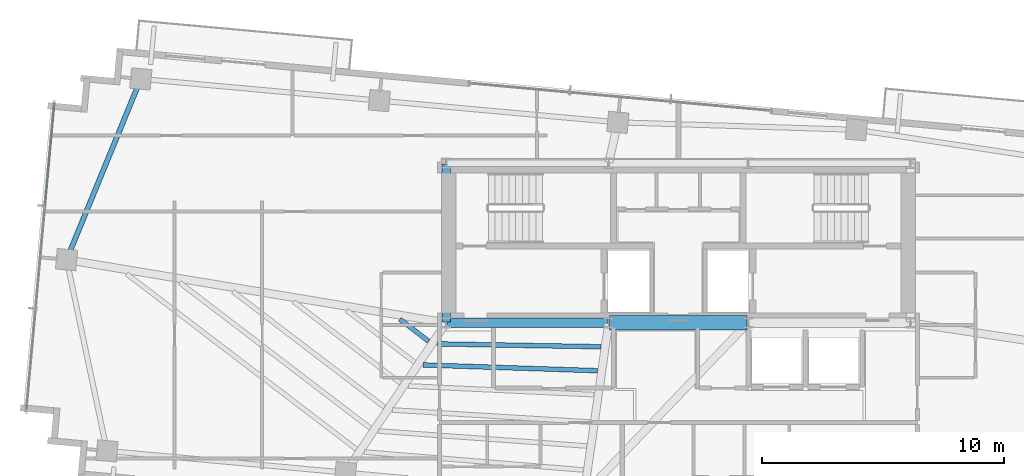
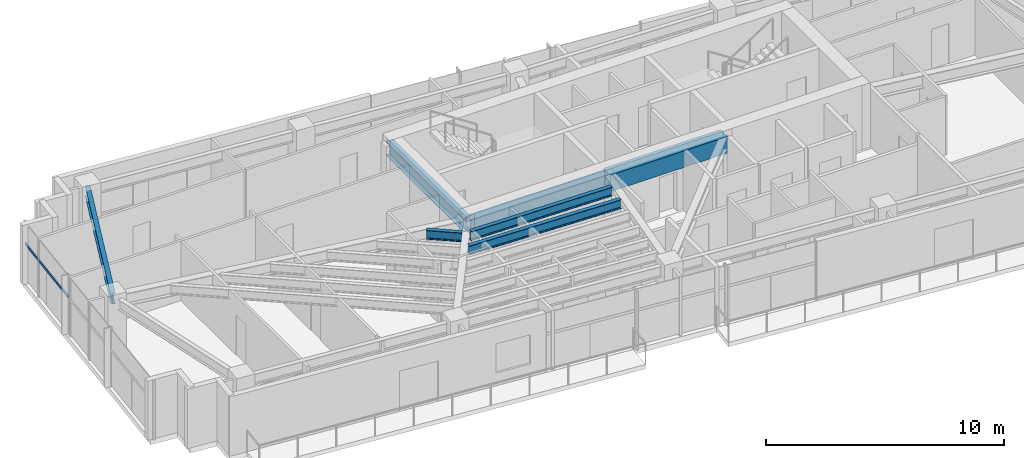
# One storey, part 8 of 22: 7 beams, 1 member, 1 element without a shape of its own.
"""IFC4 building model written with IfcOpenShell, lengths in metres."""

from ifc_helpers import new_model, si_unit, direction, frame, origin, origin_2d, place, context, subcontext, project, spatial, rectangle, hollow_rectangle, i_section, extrude, source, transform, mapped, material, material_profile, profile_set, type_object, type_shapes, element, aggregate, save


model = new_model("IFC4")

# Units and contexts
model_context = context("Model", 3, precision=1e-05, world=origin(), true_north=direction((0.0, 1.0)))
body_context = subcontext(model_context, "Body", "Model", "MODEL_VIEW")
ifc_project = project(units=[si_unit("LENGTHUNIT", "METRE"), si_unit("AREAUNIT", "SQUARE_METRE"), si_unit("VOLUMEUNIT", "CUBIC_METRE"), si_unit("PLANEANGLEUNIT", "RADIAN"), si_unit("MASSUNIT", "GRAM", prefix="KILO")], contexts=[model_context])

# Site, building, storey
site_placement = place(None, origin())
site = spatial("IfcSite", under=ifc_project, at=site_placement, CompositionType="ELEMENT")
building_placement = place(site_placement, origin())
building = spatial("IfcBuilding", under=site, at=building_placement, Name="Astriad Promenade Condominiums", CompositionType="ELEMENT")
storey_placement = place(building_placement, frame((0.0, 0.0, 219.89990234375)))
storey = spatial("IfcBuildingStorey", under=building, at=storey_placement, Name="L63", CompositionType="ELEMENT", Elevation=219.89990234375)

# Beams
ifc_material_1 = material(Name="Steel ASTM A992 Grade 50", Category="steel")
ifc_material_profile_1 = material_profile(ifc_material_1, i_section(OverallWidth=0.3837890625, OverallDepth=0.785888671875, WebThickness=0.019775390625, FlangeThickness=0.033447265625, FilletRadius=0.021484375, at=origin_2d()), Name="W30X211")
ifc_profile_set_1 = profile_set([ifc_material_profile_1], Name="Steel ASTM A992 Grade 50")
beam_type_1 = type_object("IfcBeamType", Name="STEEL FLOOR GIRDER W30X211", PredefinedType="BEAM", material=ifc_profile_set_1)
shared_shape_1 = source(origin(), body_context, "Body", "SweptSolid", [
    extrude(i_section(OverallWidth=0.3837890625, OverallDepth=0.785888671875, WebThickness=0.019775390625, FlangeThickness=0.033447265625, FilletRadius=0.021484375, at=origin_2d()), origin(), (0.0, 0.0, 1.0), 6.64013671875),
])
type_shapes(beam_type_1, [shared_shape_1])
beam_1_placement = place(storey_placement, frame((26.43994140625, 17.39990234375, 2.647216796875), z_axis=(1.0, 0.0, 0.0), x_axis=(0.0, 1.0, 0.0)))
element("IfcBeam", 1, at=beam_1_placement, inside=storey, type_object=beam_type_1, Name="Core Ring Beam CG-S1-L63", PredefinedType="BEAM", context=body_context, shape_type="MappedRepresentation", body=[
    mapped(shared_shape_1, transform((0.0, 0.0, 0.0), scale=1.0)),
])
ifc_material_profile_2 = material_profile(ifc_material_1, i_section(OverallWidth=0.35791015625, OverallDepth=0.706298828125, WebThickness=0.018310546875, FlangeThickness=0.0302734375, FilletRadius=0.020263671875, at=origin_2d()), Name="W27X178")
ifc_profile_set_2 = profile_set([ifc_material_profile_2], Name="Steel ASTM A992 Grade 50")
beam_type_2 = type_object("IfcBeamType", Name="STEEL FLOOR GIRDER W27X178", PredefinedType="BEAM", material=ifc_profile_set_2)
shared_shape_2 = source(origin(), body_context, "Body", "SweptSolid", [
    extrude(i_section(OverallWidth=0.35791015625, OverallDepth=0.706298828125, WebThickness=0.018310546875, FlangeThickness=0.0302734375, FilletRadius=0.020263671875, at=origin_2d()), origin(), (0.0, 0.0, 1.0), 6.52001953125),
])
type_shapes(beam_type_2, [shared_shape_2])
beam_2_placement = place(storey_placement, frame((26.39990234375, 17.43994140625, 2.68701171875), z_axis=(0.0, 1.0, 0.0), x_axis=(-1.0, 0.0, 0.0)))
element("IfcBeam", 2, at=beam_2_placement, inside=storey, type_object=beam_type_2, Name="Core Ring Beam CG-W1-L63", PredefinedType="BEAM", context=body_context, shape_type="MappedRepresentation", body=[
    mapped(shared_shape_2, transform((0.0, 0.0, 0.0), scale=1.0)),
])
ifc_material_2 = material(Name="Concrete C60/75", Category="concrete")
ifc_material_profile_3 = material_profile(ifc_material_2, rectangle(XDim=0.60009765625, YDim=0.85009765625, at=origin_2d()), Name="RC-BM-600X850")
ifc_profile_set_3 = profile_set([ifc_material_profile_3], Name="Concrete C60/75")
beam_type_3 = type_object("IfcBeamType", Name="CONCRETE CORE COUPLING LINTEL 600X850", PredefinedType="LINTEL", material=ifc_profile_set_3)
shared_shape_3 = source(origin(), body_context, "Body", "SweptSolid", [
    extrude(rectangle(XDim=0.60009765625, YDim=0.85009765625, at=origin_2d()), origin(), (0.0, 0.0, 1.0), 5.68017578125),
])
type_shapes(beam_type_3, [shared_shape_3])
beam_3_placement = place(storey_placement, frame((33.159912109375, 17.39990234375, 2.614990234375), z_axis=(1.0, 0.0, 0.0), x_axis=(0.0, 1.0, 0.0)))
element("IfcBeam", 3, at=beam_3_placement, inside=storey, type_object=beam_type_3, Name="Core Ring Beam CG-S2-L63", PredefinedType="LINTEL", context=body_context, shape_type="MappedRepresentation", body=[
    mapped(shared_shape_3, transform((0.0, 0.0, 0.0), scale=1.0)),
])
ifc_material_profile_4 = material_profile(ifc_material_1, i_section(OverallWidth=0.210693359375, OverallDepth=0.53955078125, WebThickness=0.01171875, FlangeThickness=0.018798828125, FilletRadius=0.0166015625, at=origin_2d()), Name="W21X73")
ifc_profile_set_4 = profile_set([ifc_material_profile_4], Name="Steel ASTM A992 Grade 50")
beam_type_4 = type_object("IfcBeamType", Name="STEEL SPANDREL BEAM W21X73", PredefinedType="SPANDREL", material=ifc_profile_set_4)
shared_shape_4 = source(origin(), body_context, "Body", "SweptSolid", [
    extrude(i_section(OverallWidth=0.210693359375, OverallDepth=0.53955078125, WebThickness=0.01171875, FlangeThickness=0.018798828125, FilletRadius=0.0166015625, at=origin_2d()), origin(), (0.0, 0.0, 1.0), 7.998779296875),
])
type_shapes(beam_type_4, [shared_shape_4])
beam_4_placement = place(storey_placement, frame((13.76611328125, 27.44580078125, 2.7705078125), z_axis=(-0.38000513148, -0.924984378273, 0.0), x_axis=(0.924984378273, -0.38000513148, 0.0)))
element("IfcBeam", 4, at=beam_4_placement, inside=storey, type_object=beam_type_4, Name="Perimeter Spandrel Beam SP-W2-L63", PredefinedType="SPANDREL", context=body_context, shape_type="MappedRepresentation", body=[
    mapped(shared_shape_4, transform((0.0, 0.0, 0.0), scale=1.0)),
])
ifc_material_profile_5 = material_profile(ifc_material_1, i_section(OverallWidth=0.19287109375, OverallDepth=0.466064453125, WebThickness=0.011474609375, FlangeThickness=0.01904296875, FilletRadius=0.01513671875, at=origin_2d()), Name="W18X65")
ifc_profile_set_5 = profile_set([ifc_material_profile_5], Name="Steel ASTM A992 Grade 50")
beam_type_5 = type_object("IfcBeamType", Name="STEEL FLOOR JOIST W18X65", PredefinedType="JOIST", material=ifc_profile_set_5)
shared_shape_5 = source(origin(), body_context, "Body", "SweptSolid", [
    extrude(i_section(OverallWidth=0.19287109375, OverallDepth=0.466064453125, WebThickness=0.011474609375, FlangeThickness=0.01904296875, FilletRadius=0.01513671875, at=origin_2d()), origin(), (0.0, 0.0, 1.0), 1.497314453125),
])
beam_5_placement = place(storey_placement, frame((24.489501953125, 17.547119140625, 2.80712890625), z_axis=(0.79482500583, -0.606838701887, 0.0), x_axis=(0.606838701887, 0.79482500583, 0.0)))
element("IfcBeam", 5, at=beam_5_placement, inside=storey, type_object=beam_type_5, Name="Secondary Composite Floor Joist JW1-6-L63", PredefinedType="JOIST", context=body_context, shape_type="MappedRepresentation", body=[
    mapped(shared_shape_5, transform((0.0, 0.0, 0.0), scale=1.0)),
])
shared_shape_6 = source(origin(), body_context, "Body", "SweptSolid", [
    extrude(i_section(OverallWidth=0.19287109375, OverallDepth=0.466064453125, WebThickness=0.011474609375, FlangeThickness=0.01904296875, FilletRadius=0.01513671875, at=origin_2d()), origin(), (0.0, 0.0, 1.0), 7.226318359375),
])
beam_6_placement = place(storey_placement, frame((25.43798828125, 15.659912109375, 2.80712890625), z_axis=(0.999453981353, -0.033041476313, 0.0), x_axis=(0.033041476313, 0.999453981353, 0.0)))
element("IfcBeam", 6, at=beam_6_placement, inside=storey, type_object=beam_type_5, Name="Secondary Composite Floor Joist JCW-5-L63", PredefinedType="JOIST", context=body_context, shape_type="MappedRepresentation", body=[
    mapped(shared_shape_6, transform((0.0, 0.0, 0.0), scale=1.0)),
])
shared_shape_7 = source(origin(), body_context, "Body", "SweptSolid", [
    extrude(i_section(OverallWidth=0.19287109375, OverallDepth=0.466064453125, WebThickness=0.011474609375, FlangeThickness=0.01904296875, FilletRadius=0.01513671875, at=origin_2d()), origin(), (0.0, 0.0, 1.0), 6.781494140625),
])
type_shapes(beam_type_5, [shared_shape_5, shared_shape_6, shared_shape_7])
beam_7_placement = place(storey_placement, frame((26.022216796875, 16.52978515625, 2.80712890625), z_axis=(0.999845665325, -0.017568310398, 0.0), x_axis=(0.017568310398, 0.999845665325, 0.0)))
element("IfcBeam", 7, at=beam_7_placement, inside=storey, type_object=beam_type_5, Name="Secondary Composite Floor Joist JCW-6-L63", PredefinedType="JOIST", context=body_context, shape_type="MappedRepresentation", body=[
    mapped(shared_shape_7, transform((0.0, 0.0, 0.0), scale=1.0)),
])

# Curtain wall, member
ifc_material_3 = material(Name="Anodised aluminium Black Dark Glass Unitised", Category="aluminium")
curtain_wall_type = type_object("IfcCurtainWallType", Name="CW-B5-DARK", PredefinedType="USERDEFINED", material=ifc_material_3)
curtain_wall_placement = place(storey_placement, origin())
curtain_wall = element("IfcCurtainWall", 8, at=curtain_wall_placement, inside=storey, type_object=curtain_wall_type, Name="CW-L63-W", ObjectType="UNITISED_CURTAIN_WALL", PredefinedType="USERDEFINED")
ifc_material_4 = material(Name="Anodised aluminium 6063-T6 Black", Category="aluminium")
ifc_material_profile_6 = material_profile(ifc_material_4, hollow_rectangle(XDim=0.06494140625, YDim=0.1298828125, WallThickness=0.00390625, at=origin_2d()), Name="ALU-TRN-65X130")
ifc_profile_set_6 = profile_set([ifc_material_profile_6], Name="Anodised aluminium 6063-T6 Black")
member_type = type_object("IfcMemberType", Name="TRN-ALU-TRN-65X130", PredefinedType="USERDEFINED", material=ifc_profile_set_6)
shared_shape_8 = source(origin(), body_context, "Body", "SweptSolid", [
    extrude(hollow_rectangle(XDim=0.06494140625, YDim=0.1298828125, WallThickness=0.00390625, at=origin_2d()), origin(), (0.0, 0.0, 1.0), 4.2666015625),
])
type_shapes(member_type, [shared_shape_8])
member_placement = place(storey_placement, frame((9.819091796875, 22.233642578125, 1.885009765625), z_axis=(0.090638931954, 0.99588382054, 0.0), x_axis=(-0.99588382054, 0.090638931954, 0.0)))
member = element("IfcMember", 9, at=member_placement, type_object=member_type, Name="CW-L63-W-TRN-02-0", ObjectType="TRANSOM", PredefinedType="USERDEFINED", context=body_context, shape_type="MappedRepresentation", body=[
    mapped(shared_shape_8, transform((0.0, 0.0, 0.0), scale=1.0)),
])
aggregate(curtain_wall, [member])

save(model, "model.ifc")
